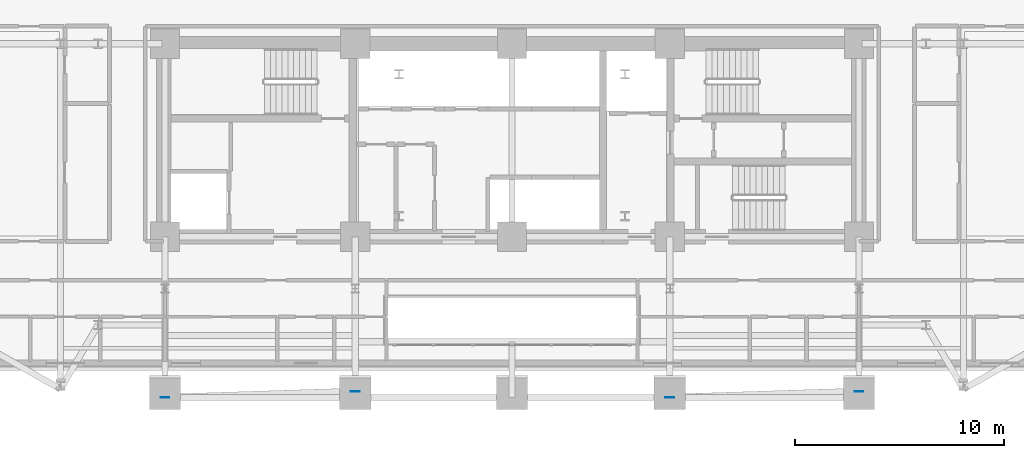
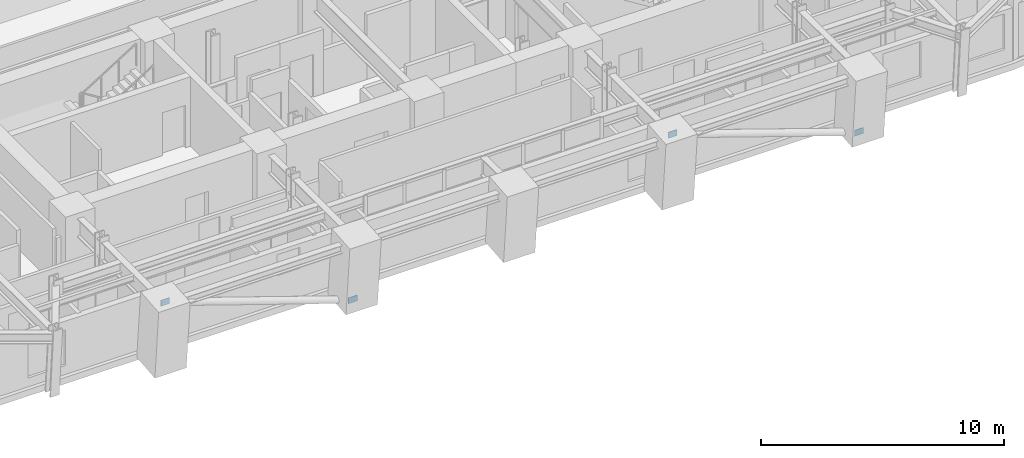
# One storey, part 7 of 16: 4 plates.
"""IFC4 building model written with IfcOpenShell, lengths in metres."""

from ifc_helpers import new_model, si_unit, direction, frame, origin, origin_2d, place, context, subcontext, project, spatial, rectangle, extrude, material, layer, layer_set, type_object, element, save


model = new_model("IFC4")

# Units and contexts
model_context = context("Model", 3, precision=1e-05, world=origin(), true_north=direction((0.0, 1.0)))
body_context = subcontext(model_context, "Body", "Model", "MODEL_VIEW")
ifc_project = project(units=[si_unit("LENGTHUNIT", "METRE"), si_unit("AREAUNIT", "SQUARE_METRE"), si_unit("VOLUMEUNIT", "CUBIC_METRE"), si_unit("PLANEANGLEUNIT", "RADIAN"), si_unit("MASSUNIT", "GRAM", prefix="KILO")], contexts=[model_context])

# Site, building, storey
site_placement = place(None, origin())
site = spatial("IfcSite", under=ifc_project, at=site_placement, CompositionType="ELEMENT")
building_placement = place(site_placement, origin())
building = spatial("IfcBuilding", under=site, at=building_placement, Name="Zarnavel Station Tower", CompositionType="ELEMENT")
storey_placement = place(building_placement, frame((0.0, 0.0, 64.0)))
storey = spatial("IfcBuildingStorey", under=building, at=storey_placement, Name="L17", CompositionType="ELEMENT", Elevation=64.0)

# Plates
ifc_material = material(Name="Steel S460M", Category="steel")
ifc_layer = layer(ifc_material, 0.02490234375)
ifc_layer_set = layer_set([ifc_layer], Name="GP_GUSSET_25")
plate_type = type_object("IfcPlateType", Name="GP_GUSSET_25", PredefinedType="USERDEFINED", material=ifc_layer_set)
for number, where, z_axis, x_axis, name in (
    (1, (21.300048828125, 20.42822265625, -0.14990234375), (0.0, 0.0, 1.0), (1.0, 0.0, 0.0), "L17 Exterior Diagonal Brace End Gusset 1-1"),
    (2, (12.199951171875, 20.134765625, 3.08984375), (0.0, 0.0, 1.0), (1.0, 0.0, 0.0), "L17 Exterior Diagonal Brace End Gusset 1-2"),
    (3, (45.39990234375, 20.42822265625, -0.14990234375), (0.0, 0.0, 1.0), (1.0, 0.0, 0.0), "L17 Exterior Diagonal Brace End Gusset 2-1"),
    (4, (36.35009765625, 20.134765625, 3.08984375), (0.0, 0.0, 1.0), (1.0, 0.0, 0.0), "L17 Exterior Diagonal Brace End Gusset 2-2"),
):
    element("IfcPlate", number, at=place(storey_placement, frame(where, z_axis=z_axis, x_axis=x_axis)), inside=storey, type_object=plate_type, Name=name, ObjectType="GUSSET_PLATE", PredefinedType="USERDEFINED", context=body_context, shape_type="SweptSolid", body=[
        extrude(rectangle(XDim=0.419921875, YDim=0.02490234375, at=origin_2d()), origin(), (0.0, 0.0, 1.0), 0.300048828125),
    ])

save(model, "model.ifc")
